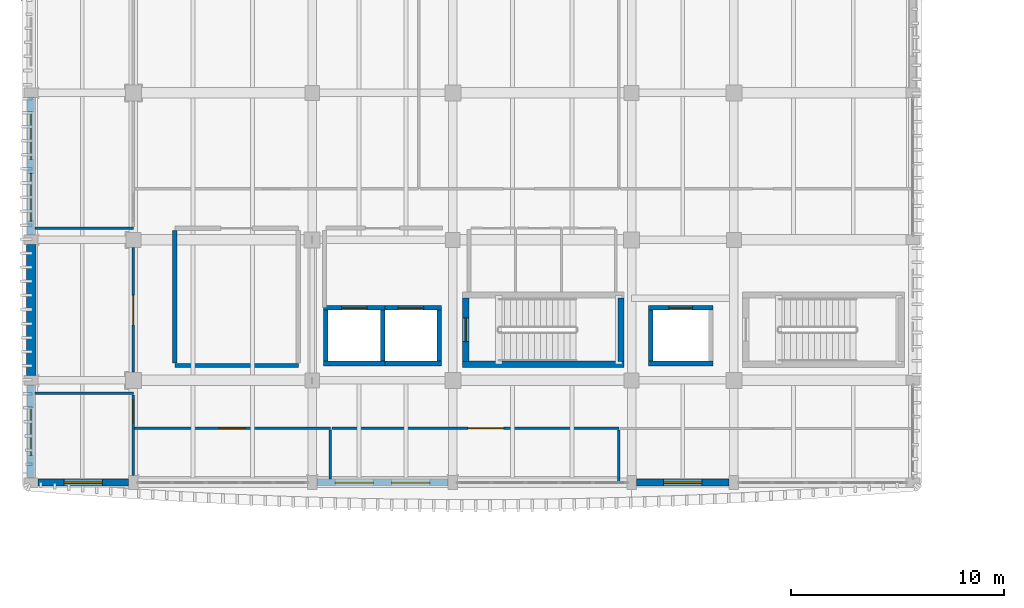
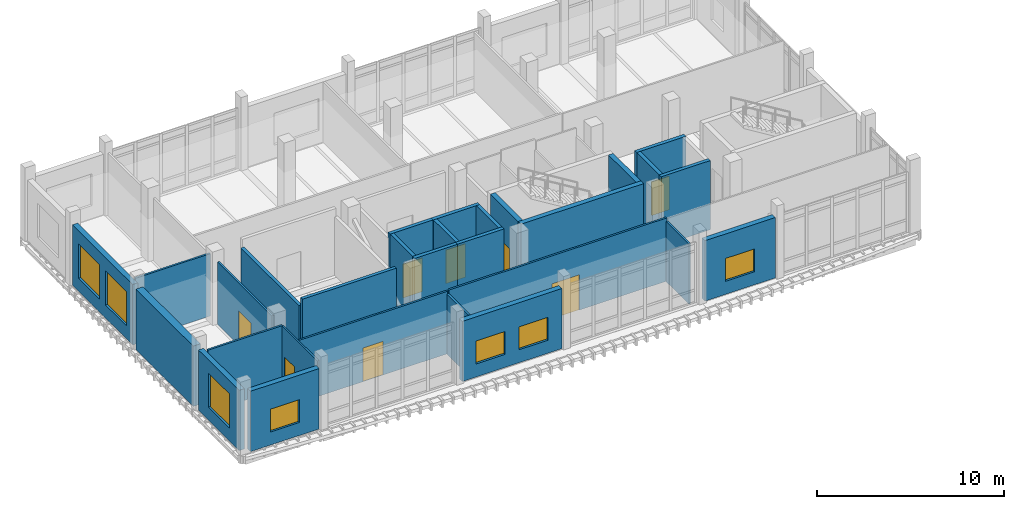
# One storey, part 20 of 37: 29 walls, 8 doors, 7 windows, 15 openings.
"""IFC4 building model written with IfcOpenShell, lengths in metres."""

from ifc_helpers import new_model, si_unit, direction, frame, frame_2d, origin, place, context, subcontext, project, spatial, rectangle, extrude, material, layer, layer_set, type_object, element, fill, save


model = new_model("IFC4")

# Units and contexts
model_context = context("Model", 3, precision=1e-05, world=origin(), true_north=direction((0.0, 1.0)))
body_context = subcontext(model_context, "Body", "Model", "MODEL_VIEW")
ifc_project = project(units=[si_unit("LENGTHUNIT", "METRE"), si_unit("AREAUNIT", "SQUARE_METRE"), si_unit("VOLUMEUNIT", "CUBIC_METRE"), si_unit("PLANEANGLEUNIT", "RADIAN"), si_unit("MASSUNIT", "GRAM", prefix="KILO")], contexts=[model_context])

# Site, building, storey
site_placement = place(None, origin())
site = spatial("IfcSite", under=ifc_project, at=site_placement, CompositionType="ELEMENT")
building_placement = place(site_placement, origin())
building = spatial("IfcBuilding", under=site, at=building_placement, Name="Dornvale Research Institute", CompositionType="ELEMENT")
storey_placement = place(building_placement, frame((0.0, 0.0, 29.39990234375)))
storey = spatial("IfcBuildingStorey", under=building, at=storey_placement, Name="L06", CompositionType="ELEMENT", Elevation=29.39990234375)

# Walls
ifc_material_1 = material(Name="Acoustic Insulated Double-Stud Laboratory Partition")
ifc_layer_1 = layer(ifc_material_1, 0.1201171875)
ifc_layer_set_1 = layer_set([ifc_layer_1], Name="Acoustic Insulated Double-Stud Laboratory Partition")
wall_type_1 = type_object("IfcWallType", Name="Partition_Dry_120", PredefinedType="PARTITIONING", material=ifc_layer_set_1)
for number, where, z_axis, x_axis, name in (
    (1, (0.175048828125, 103.199951171875, 0.0), (0.0, 0.0, 1.0), (1.0, 0.0, 0.0), "L06 V5 interior partition #502"),
    (2, (0.175048828125, 110.949951171875, 0.0), (0.0, 0.0, 1.0), (1.0, 0.0, 0.0), "L06 V5 interior partition #503"),
):
    element("IfcWall", number, at=place(storey_placement, frame(where, z_axis=z_axis, x_axis=x_axis)), inside=storey, type_object=wall_type_1, Name=name, PredefinedType="PARTITIONING", context=body_context, shape_type="SweptSolid", body=[
        extrude(rectangle(XDim=4.625, YDim=0.1201171875, at=frame_2d((2.3125, 0.0))), origin(), (0.0, 0.0, 1.0), 4.080078125),
    ])

# Wall, opening, door
wall_1_placement = place(storey_placement, frame((4.800048828125, 104.195068359375, 0.0), z_axis=(0.0, 0.0, 1.0), x_axis=(0.0, 1.0, 0.0)))
wall_1 = element("IfcWall", 3, at=wall_1_placement, inside=storey, type_object=wall_type_1, Name="L06 V5 interior partition #504", PredefinedType="PARTITIONING", context=body_context, shape_type="SweptSolid", body=[
    extrude(rectangle(XDim=5.8349609375, YDim=0.1201171875, at=frame_2d((2.91748046875, 0.0))), origin(), (0.0, 0.0, 1.0), 4.080078125),
])
opening_1_placement = place(wall_1_placement, frame((2.215087890625, 0.0, 0.0)))
opening_1 = element("IfcOpeningElement", 4, at=opening_1_placement, cuts=wall_1, Name="Opening ID-08", PredefinedType="OPENING", context=body_context, shape_type="SweptSolid", body=[
    extrude(rectangle(XDim=1.3798828125, YDim=2.25, at=frame_2d((0.68994140625, 1.125))), frame((0.0, 0.074951171875, 0.0), z_axis=(0.0, -1.0, 0.0), x_axis=(1.0, 0.0, 0.0)), (0.0, 0.0, 1.0), 0.150146484375),
])
ifc_material_2 = material(Name="Insulated Fire-Rated Hollow Metal Door Assembly")
door_type_1 = type_object("IfcDoorType", Name="Door_DryLab_1380x2250", OperationType="SINGLE_SWING_LEFT", PredefinedType="DOOR", material=ifc_material_2)
door_1_placement = place(opening_1_placement, origin())
door_1 = element("IfcDoor", 5, at=door_1_placement, inside=storey, type_object=door_type_1, Name="L06 Quantum Optics Darkroom Suite L06 door #206", OperationType="SINGLE_SWING_LEFT", OverallHeight=2.25, OverallWidth=1.3798828125, PredefinedType="DOOR", context=body_context, shape_type="SweptSolid", body=[
    extrude(rectangle(XDim=1.3798828125, YDim=2.25, at=frame_2d((0.68994140625, 1.125))), frame((0.0, 0.02490234375, 0.0), z_axis=(0.0, -1.0, 0.0), x_axis=(1.0, 0.0, 0.0)), (0.0, 0.0, 1.0), 0.050048828125),
])
fill(opening_1, door_1)

wall_2_placement = place(storey_placement, frame((4.864990234375, 101.550048828125, 0.0), z_axis=(0.0, 0.0, 1.0), x_axis=(1.0, 0.0, 0.0)))
wall_2 = element("IfcWall", 6, at=wall_2_placement, inside=storey, type_object=wall_type_1, Name="L06 V5 interior partition #513", PredefinedType="PARTITIONING", context=body_context, shape_type="SweptSolid", body=[
    extrude(rectangle(XDim=9.18505859375, YDim=0.1201171875, at=frame_2d((4.592529296875, 0.0))), origin(), (0.0, 0.0, 1.0), 4.080078125),
])
opening_2_placement = place(wall_2_placement, frame((3.93505859375, 0.0, 0.0)))
opening_2 = element("IfcOpeningElement", 7, at=opening_2_placement, cuts=wall_2, Name="Opening ID-10", PredefinedType="OPENING", context=body_context, shape_type="SweptSolid", body=[
    extrude(rectangle(XDim=1.260009765625, YDim=2.199951171875, at=frame_2d((0.6298828125, 1.10009765625))), frame((0.0, 0.074951171875, 0.0), z_axis=(0.0, -1.0, 0.0), x_axis=(1.0, 0.0, 0.0)), (0.0, 0.0, 1.0), 0.150146484375),
])
ifc_material_3 = material(Name="Phenolic-Faced Solid-Core Laboratory Door Assembly")
door_type_2 = type_object("IfcDoorType", Name="Door_DryLab_1260x2200", OperationType="SINGLE_SWING_LEFT", PredefinedType="DOOR", material=ifc_material_3)
door_2_placement = place(opening_2_placement, origin())
door_2 = element("IfcDoor", 8, at=door_2_placement, inside=storey, type_object=door_type_2, Name="L06 Biodiversity Data Synthesis Lab door #212", OperationType="SINGLE_SWING_LEFT", OverallHeight=2.199951171875, OverallWidth=1.260009765625, PredefinedType="DOOR", context=body_context, shape_type="SweptSolid", body=[
    extrude(rectangle(XDim=1.260009765625, YDim=2.199951171875, at=frame_2d((0.6298828125, 1.10009765625))), frame((0.0, 0.02490234375, 0.0), z_axis=(0.0, -1.0, 0.0), x_axis=(1.0, 0.0, 0.0)), (0.0, 0.0, 1.0), 0.050048828125),
])
fill(opening_2, door_2)

# Wall
wall_3_placement = place(storey_placement, frame((14.050048828125, 99.175048828125, 0.0), z_axis=(0.0, 0.0, 1.0), x_axis=(0.0, 1.0, 0.0)))
element("IfcWall", 9, at=wall_3_placement, inside=storey, type_object=wall_type_1, Name="L06 V5 interior partition #514", PredefinedType="PARTITIONING", context=body_context, shape_type="SweptSolid", body=[
    extrude(rectangle(XDim=2.300048828125, YDim=0.1201171875, at=frame_2d((1.14990234375, 0.0))), origin(), (0.0, 0.0, 1.0), 3.93017578125),
])

# Wall, opening, door
wall_4_placement = place(storey_placement, frame((14.125, 101.550048828125, 0.0), z_axis=(0.0, 0.0, 1.0), x_axis=(1.0, 0.0, 0.0)))
wall_4 = element("IfcWall", 10, at=wall_4_placement, inside=storey, type_object=wall_type_1, Name="L06 V5 interior partition #515", PredefinedType="PARTITIONING", context=body_context, shape_type="SweptSolid", body=[
    extrude(rectangle(XDim=13.47509765625, YDim=0.1201171875, at=frame_2d((6.737548828125, 0.0))), origin(), (0.0, 0.0, 1.0), 4.130126953125),
])
opening_3_placement = place(wall_4_placement, frame((6.385009765625, 0.0, 0.0)))
opening_3 = element("IfcOpeningElement", 11, at=opening_3_placement, cuts=wall_4, Name="Opening ID-11", PredefinedType="OPENING", context=body_context, shape_type="SweptSolid", body=[
    extrude(rectangle(XDim=1.679931640625, YDim=2.300048828125, at=frame_2d((0.83984375, 1.14990234375))), frame((0.0, 0.074951171875, 0.0), z_axis=(0.0, -1.0, 0.0), x_axis=(1.0, 0.0, 0.0)), (0.0, 0.0, 1.0), 0.150146484375),
])
ifc_material_4 = material(Name="Phenolic-Faced Solid-Core Laboratory Door Assembly")
door_type_3 = type_object("IfcDoorType", Name="Door_Seminar_1680x2300", OperationType="SINGLE_SWING_LEFT", PredefinedType="DOOR", material=ifc_material_4)
door_3_placement = place(opening_3_placement, origin())
door_3 = element("IfcDoor", 12, at=door_3_placement, inside=storey, type_object=door_type_3, Name="L06 Seminar Room L06-S door #213", OperationType="DOUBLE_DOOR_SINGLE_SWING", OverallHeight=2.300048828125, OverallWidth=1.679931640625, PredefinedType="DOOR", context=body_context, shape_type="SweptSolid", body=[
    extrude(rectangle(XDim=1.679931640625, YDim=2.300048828125, at=frame_2d((0.83984375, 1.14990234375))), frame((0.0, 0.02490234375, 0.0), z_axis=(0.0, -1.0, 0.0), x_axis=(1.0, 0.0, 0.0)), (0.0, 0.0, 1.0), 0.050048828125),
])
fill(opening_3, door_3)

# Walls
wall_5_placement = place(storey_placement, frame((27.60009765625, 99.0400390625, 0.0), z_axis=(0.0, 0.0, 1.0), x_axis=(0.0, 1.0, 0.0)))
element("IfcWall", 13, at=wall_5_placement, inside=storey, type_object=wall_type_1, Name="L06 V5 interior partition #516", PredefinedType="PARTITIONING", context=body_context, shape_type="SweptSolid", body=[
    extrude(rectangle(XDim=2.43505859375, YDim=0.1201171875, at=frame_2d((1.217529296875, 0.0))), origin(), (0.0, 0.0, 1.0), 3.93017578125),
])
ifc_material_5 = material(Name="Fire-Rated Gypsum Board on Cold-Formed Steel Studs", Category="steel")
ifc_layer_2 = layer(ifc_material_5, 0.199951171875)
ifc_layer_set_2 = layer_set([ifc_layer_2], Name="Fire-Rated Gypsum Board on Cold-Formed Steel Studs")
wall_type_2 = type_object("IfcWallType", Name="Partition_FireWall_200", PredefinedType="PARTITIONING", material=ifc_layer_set_2)
wall_6_placement = place(storey_placement, frame((6.75, 104.5, 0.0), z_axis=(0.0, 0.0, 1.0), x_axis=(1.0, 0.0, 0.0)))
element("IfcWall", 14, at=wall_6_placement, inside=storey, type_object=wall_type_2, Name="L06 V5 interior partition #498", PredefinedType="PARTITIONING", context=body_context, shape_type="SweptSolid", body=[
    extrude(rectangle(XDim=5.800048828125, YDim=0.199951171875, at=frame_2d((2.89990234375, 0.0))), origin(), (0.0, 0.0, 1.0), 4.34521484375),
])
wall_7_placement = place(storey_placement, frame((6.75, 104.614990234375, 0.0), z_axis=(0.0, 0.0, 1.0), x_axis=(0.0, 1.0, 0.0)))
element("IfcWall", 15, at=wall_7_placement, inside=storey, type_object=wall_type_2, Name="L06 V5 interior partition #500", PredefinedType="PARTITIONING", context=body_context, shape_type="SweptSolid", body=[
    extrude(rectangle(XDim=6.219970703125, YDim=0.199951171875, at=frame_2d((3.10986328125, 0.0))), origin(), (0.0, 0.0, 1.0), 3.830078125),
])

# Wall, opening, door
ifc_material_6 = material(Name="Acoustic Insulated Double-Stud Laboratory Partition")
ifc_layer_3 = layer(ifc_material_6, 0.10009765625)
ifc_layer_set_3 = layer_set([ifc_layer_3], Name="Acoustic Insulated Double-Stud Laboratory Partition")
wall_type_3 = type_object("IfcWallType", Name="Partition_Office_100", PredefinedType="PARTITIONING", material=ifc_layer_set_3)
wall_8_placement = place(storey_placement, frame((4.800048828125, 99.344970703125, 0.0), z_axis=(0.0, 0.0, 1.0), x_axis=(0.0, 1.0, 0.0)))
wall_8 = element("IfcWall", 16, at=wall_8_placement, inside=storey, type_object=wall_type_3, Name="L06 V5 interior partition #512", PredefinedType="PARTITIONING", context=body_context, shape_type="SweptSolid", body=[
    extrude(rectangle(XDim=3.780029296875, YDim=0.10009765625, at=frame_2d((1.89013671875, 0.0))), origin(), (0.0, 0.0, 1.0), 4.080078125),
])
opening_4_placement = place(wall_8_placement, frame((2.469970703125, 0.0, 0.0)))
opening_4 = element("IfcOpeningElement", 17, at=opening_4_placement, cuts=wall_8, Name="Opening ID-19", PredefinedType="OPENING", context=body_context, shape_type="SweptSolid", body=[
    extrude(rectangle(XDim=1.06005859375, YDim=2.199951171875, at=frame_2d((0.530029296875, 1.10009765625))), frame((0.0, 0.06494140625, 0.0), z_axis=(0.0, -1.0, 0.0), x_axis=(1.0, 0.0, 0.0)), (0.0, 0.0, 1.0), 0.130126953125),
])
ifc_material_7 = material(Name="Phenolic-Faced Solid-Core Laboratory Door Assembly")
door_type_4 = type_object("IfcDoorType", Name="Door_WriteUp_1060x2200", OperationType="SINGLE_SWING_LEFT", PredefinedType="DOOR", material=ifc_material_7)
door_4_placement = place(opening_4_placement, origin())
door_4 = element("IfcDoor", 18, at=door_4_placement, inside=storey, type_object=door_type_4, Name="L06 Research Instrument Study L06 door #211", OperationType="SINGLE_SWING_RIGHT", OverallHeight=2.199951171875, OverallWidth=1.06005859375, PredefinedType="DOOR", context=body_context, shape_type="SweptSolid", body=[
    extrude(rectangle(XDim=1.06005859375, YDim=2.199951171875, at=frame_2d((0.530029296875, 1.10009765625))), frame((0.0, 0.02490234375, 0.0), z_axis=(0.0, -1.0, 0.0), x_axis=(1.0, 0.0, 0.0)), (0.0, 0.0, 1.0), 0.050048828125),
])
fill(opening_4, door_4)

# Wall
ifc_material_8 = material(Name="Concrete f'c 50 MPa (C40/50)", Category="concrete")
ifc_layer_4 = layer(ifc_material_8, 0.300048828125)
ifc_layer_set_4 = layer_set([ifc_layer_4], Name="Concrete f'c 50 MPa (C40/50)")
wall_type_4 = type_object("IfcWallType", Name="ShearWall_Core_300", PredefinedType="SHEAR", material=ifc_layer_set_4)
wall_9_placement = place(storey_placement, frame((20.25, 104.550048828125, 0.0), z_axis=(0.0, 0.0, 1.0), x_axis=(1.0, 0.0, 0.0)))
element("IfcWall", 19, at=wall_9_placement, inside=storey, type_object=wall_type_4, Name="L06 ST-1 shaft shear wall south", PredefinedType="SHEAR", context=body_context, shape_type="SweptSolid", body=[
    extrude(rectangle(XDim=7.60009765625, YDim=0.300048828125, at=frame_2d((3.800048828125, 0.0))), origin(), (0.0, 0.0, 1.0), 4.52001953125),
])

# Wall, opening, door
wall_10_placement = place(storey_placement, frame((20.39990234375, 104.699951171875, 0.0), z_axis=(0.0, 0.0, 1.0), x_axis=(0.0, 1.0, 0.0)))
wall_10 = element("IfcWall", 20, at=wall_10_placement, inside=storey, type_object=wall_type_4, Name="L06 ST-1 shaft shear wall west", PredefinedType="SHEAR", context=body_context, shape_type="SweptSolid", body=[
    extrude(rectangle(XDim=2.9599609375, YDim=0.300048828125, at=frame_2d((1.47998046875, 0.0))), origin(), (0.0, 0.0, 1.0), 4.52001953125),
])
opening_5_placement = place(wall_10_placement, frame((0.919921875, 0.0, 0.0)))
opening_5 = element("IfcOpeningElement", 21, at=opening_5_placement, cuts=wall_10, Name="Opening SD-01", PredefinedType="OPENING", context=body_context, shape_type="SweptSolid", body=[
    extrude(rectangle(XDim=1.1201171875, YDim=2.199951171875, at=frame_2d((0.56005859375, 1.10009765625))), frame((0.0, 0.1650390625, 0.0), z_axis=(0.0, -1.0, 0.0), x_axis=(1.0, 0.0, 0.0)), (0.0, 0.0, 1.0), 0.330078125),
])
ifc_material_9 = material(Name="Insulated Fire-Rated Hollow Metal Door Assembly")
door_type_5 = type_object("IfcDoorType", Name="Door_Stair_1120x2200", OperationType="SINGLE_SWING_LEFT", PredefinedType="DOOR", material=ifc_material_9)
door_5_placement = place(opening_5_placement, origin())
door_5 = element("IfcDoor", 22, at=door_5_placement, inside=storey, type_object=door_type_5, Name="L06 ST-1 exit stair door #8", OperationType="SINGLE_SWING_RIGHT", OverallHeight=2.199951171875, OverallWidth=1.1201171875, PredefinedType="DOOR", context=body_context, shape_type="SweptSolid", body=[
    extrude(rectangle(XDim=1.1201171875, YDim=2.199951171875, at=frame_2d((0.56005859375, 1.10009765625))), frame((0.0, 0.02490234375, 0.0), z_axis=(0.0, -1.0, 0.0), x_axis=(1.0, 0.0, 0.0)), (0.0, 0.0, 1.0), 0.050048828125),
])
fill(opening_5, door_5)

# Walls
wall_11_placement = place(storey_placement, frame((27.699951171875, 104.699951171875, 0.0), z_axis=(0.0, 0.0, 1.0), x_axis=(0.0, 1.0, 0.0)))
element("IfcWall", 23, at=wall_11_placement, inside=storey, type_object=wall_type_4, Name="L06 ST-1 shaft shear wall east", PredefinedType="SHEAR", context=body_context, shape_type="SweptSolid", body=[
    extrude(rectangle(XDim=2.9599609375, YDim=0.300048828125, at=frame_2d((1.47998046875, 0.0))), origin(), (0.0, 0.0, 1.0), 4.52001953125),
])
ifc_material_10 = material(Name="Concrete f'c 45 MPa (C35/45)", Category="concrete")
ifc_layer_5 = layer(ifc_material_10, 0.219970703125)
ifc_layer_set_5 = layer_set([ifc_layer_5], Name="Concrete f'c 45 MPa (C35/45)")
wall_type_5 = type_object("IfcWallType", Name="ShearWall_Shaft_220", PredefinedType="SHEAR", material=ifc_layer_set_5)
wall_12_placement = place(storey_placement, frame((13.72998046875, 104.590087890625, 0.0), z_axis=(0.0, 0.0, 1.0), x_axis=(1.0, 0.0, 0.0)))
element("IfcWall", 24, at=wall_12_placement, inside=storey, type_object=wall_type_5, Name="L06 FS1 elevator shaft wall south", PredefinedType="SHEAR", context=body_context, shape_type="SweptSolid", body=[
    extrude(rectangle(XDim=2.89013671875, YDim=0.219970703125, at=frame_2d((1.445068359375, 0.0))), origin(), (0.0, 0.0, 1.0), 4.52001953125),
])

# Wall, opening, door
wall_13_placement = place(storey_placement, frame((13.72998046875, 107.2099609375, 0.0), z_axis=(0.0, 0.0, 1.0), x_axis=(1.0, 0.0, 0.0)))
wall_13 = element("IfcWall", 25, at=wall_13_placement, inside=storey, type_object=wall_type_5, Name="L06 FS1 elevator shaft wall north", PredefinedType="SHEAR", context=body_context, shape_type="SweptSolid", body=[
    extrude(rectangle(XDim=2.89013671875, YDim=0.219970703125, at=frame_2d((1.445068359375, 0.0))), origin(), (0.0, 0.0, 1.0), 4.52001953125),
])
opening_6_placement = place(wall_13_placement, frame((0.844970703125, 0.0, 0.0)))
opening_6 = element("IfcOpeningElement", 26, at=opening_6_placement, cuts=wall_13, Name="Opening LD-01", PredefinedType="OPENING", context=body_context, shape_type="SweptSolid", body=[
    extrude(rectangle(XDim=1.199951171875, YDim=2.199951171875, at=frame_2d((0.60009765625, 1.10009765625))), frame((0.0, 0.125, 0.0), z_axis=(0.0, -1.0, 0.0), x_axis=(1.0, 0.0, 0.0)), (0.0, 0.0, 1.0), 0.25),
])
ifc_material_11 = material(Name="Brushed Stainless Steel Sliding Elevator Landing Door", Category="steel")
door_type_6 = type_object("IfcDoorType", Name="Door_LiftLanding_FSAE_1200x2200", OperationType="SINGLE_SWING_LEFT", PredefinedType="DOOR", material=ifc_material_11)
door_6_placement = place(opening_6_placement, origin())
door_6 = element("IfcDoor", 27, at=door_6_placement, inside=storey, type_object=door_type_6, Name="L06 FS1 sliding elevator landing door #8", OperationType="DOUBLE_DOOR_SLIDING", OverallHeight=2.199951171875, OverallWidth=1.199951171875, PredefinedType="DOOR", context=body_context, shape_type="SweptSolid", body=[
    extrude(rectangle(XDim=1.199951171875, YDim=2.199951171875, at=frame_2d((0.60009765625, 1.10009765625))), frame((0.0, 0.02490234375, 0.0), z_axis=(0.0, -1.0, 0.0), x_axis=(1.0, 0.0, 0.0)), (0.0, 0.0, 1.0), 0.050048828125),
])
fill(opening_6, door_6)

# Walls
for number, where, z_axis, x_axis, name in (
    (28, (13.840087890625, 104.699951171875, 0.0), (0.0, 0.0, 1.0), (0.0, 1.0, 0.0), "L06 FS1 elevator shaft wall west"),
    (29, (16.510009765625, 104.699951171875, 0.0), (0.0, 0.0, 1.0), (0.0, 1.0, 0.0), "L06 FS1 elevator shaft wall east"),
):
    element("IfcWall", number, at=place(storey_placement, frame(where, z_axis=z_axis, x_axis=x_axis)), inside=storey, type_object=wall_type_5, Name=name, PredefinedType="SHEAR", context=body_context, shape_type="SweptSolid", body=[
        extrude(rectangle(XDim=2.400146484375, YDim=0.219970703125, at=frame_2d((1.2001953125, 0.0))), origin(), (0.0, 0.0, 1.0), 4.52001953125),
    ])
wall_14_placement = place(storey_placement, frame((16.3798828125, 104.590087890625, 0.0), z_axis=(0.0, 0.0, 1.0), x_axis=(1.0, 0.0, 0.0)))
element("IfcWall", 30, at=wall_14_placement, inside=storey, type_object=wall_type_5, Name="L06 FS2 elevator shaft wall south", PredefinedType="SHEAR", context=body_context, shape_type="SweptSolid", body=[
    extrude(rectangle(XDim=2.89013671875, YDim=0.219970703125, at=frame_2d((1.445068359375, 0.0))), origin(), (0.0, 0.0, 1.0), 4.52001953125),
])

# Wall, opening, door
wall_15_placement = place(storey_placement, frame((16.3798828125, 107.2099609375, 0.0), z_axis=(0.0, 0.0, 1.0), x_axis=(1.0, 0.0, 0.0)))
wall_15 = element("IfcWall", 31, at=wall_15_placement, inside=storey, type_object=wall_type_5, Name="L06 FS2 elevator shaft wall north", PredefinedType="SHEAR", context=body_context, shape_type="SweptSolid", body=[
    extrude(rectangle(XDim=2.89013671875, YDim=0.219970703125, at=frame_2d((1.445068359375, 0.0))), origin(), (0.0, 0.0, 1.0), 4.52001953125),
])
opening_7_placement = place(wall_15_placement, frame((0.844970703125, 0.0, 0.0)))
opening_7 = element("IfcOpeningElement", 32, at=opening_7_placement, cuts=wall_15, Name="Opening LD-01", PredefinedType="OPENING", context=body_context, shape_type="SweptSolid", body=[
    extrude(rectangle(XDim=1.199951171875, YDim=2.199951171875, at=frame_2d((0.60009765625, 1.10009765625))), frame((0.0, 0.125, 0.0), z_axis=(0.0, -1.0, 0.0), x_axis=(1.0, 0.0, 0.0)), (0.0, 0.0, 1.0), 0.25),
])
door_7_placement = place(opening_7_placement, origin())
door_7 = element("IfcDoor", 33, at=door_7_placement, inside=storey, type_object=door_type_6, Name="L06 FS2 sliding elevator landing door #20", OperationType="DOUBLE_DOOR_SLIDING", OverallHeight=2.199951171875, OverallWidth=1.199951171875, PredefinedType="DOOR", context=body_context, shape_type="SweptSolid", body=[
    extrude(rectangle(XDim=1.199951171875, YDim=2.199951171875, at=frame_2d((0.60009765625, 1.10009765625))), frame((0.0, 0.02490234375, 0.0), z_axis=(0.0, -1.0, 0.0), x_axis=(1.0, 0.0, 0.0)), (0.0, 0.0, 1.0), 0.050048828125),
])
fill(opening_7, door_7)

# Walls
wall_16_placement = place(storey_placement, frame((19.159912109375, 104.699951171875, 0.0), z_axis=(0.0, 0.0, 1.0), x_axis=(0.0, 1.0, 0.0)))
element("IfcWall", 34, at=wall_16_placement, inside=storey, type_object=wall_type_5, Name="L06 FS2 elevator shaft wall east", PredefinedType="SHEAR", context=body_context, shape_type="SweptSolid", body=[
    extrude(rectangle(XDim=2.400146484375, YDim=0.219970703125, at=frame_2d((1.2001953125, 0.0))), origin(), (0.0, 0.0, 1.0), 4.52001953125),
])
wall_17_placement = place(storey_placement, frame((28.97998046875, 104.590087890625, 0.0), z_axis=(0.0, 0.0, 1.0), x_axis=(1.0, 0.0, 0.0)))
element("IfcWall", 35, at=wall_17_placement, inside=storey, type_object=wall_type_5, Name="L06 LP1 elevator shaft wall south", PredefinedType="SHEAR", context=body_context, shape_type="SweptSolid", body=[
    extrude(rectangle(XDim=3.0400390625, YDim=0.219970703125, at=frame_2d((1.52001953125, 0.0))), origin(), (0.0, 0.0, 1.0), 4.52001953125),
])

# Wall, opening, door
wall_18_placement = place(storey_placement, frame((28.97998046875, 107.2099609375, 0.0), z_axis=(0.0, 0.0, 1.0), x_axis=(1.0, 0.0, 0.0)))
wall_18 = element("IfcWall", 36, at=wall_18_placement, inside=storey, type_object=wall_type_5, Name="L06 LP1 elevator shaft wall north", PredefinedType="SHEAR", context=body_context, shape_type="SweptSolid", body=[
    extrude(rectangle(XDim=3.0400390625, YDim=0.219970703125, at=frame_2d((1.52001953125, 0.0))), origin(), (0.0, 0.0, 1.0), 4.52001953125),
])
opening_8_placement = place(wall_18_placement, frame((0.969970703125, 0.0, 0.0)))
opening_8 = element("IfcOpeningElement", 37, at=opening_8_placement, cuts=wall_18, Name="Opening LD-02", PredefinedType="OPENING", context=body_context, shape_type="SweptSolid", body=[
    extrude(rectangle(XDim=1.10009765625, YDim=2.199951171875, at=frame_2d((0.550048828125, 1.10009765625))), frame((0.0, 0.125, 0.0), z_axis=(0.0, -1.0, 0.0), x_axis=(1.0, 0.0, 0.0)), (0.0, 0.0, 1.0), 0.25),
])
ifc_material_12 = material(Name="Brushed Stainless Steel Sliding Elevator Landing Door", Category="steel")
door_type_7 = type_object("IfcDoorType", Name="Door_LiftLanding_Pass_1100x2200", OperationType="SINGLE_SWING_LEFT", PredefinedType="DOOR", material=ifc_material_12)
door_8_placement = place(opening_8_placement, origin())
door_8 = element("IfcDoor", 38, at=door_8_placement, inside=storey, type_object=door_type_7, Name="L06 LP1 sliding elevator landing door #32", OperationType="SLIDING_TO_LEFT", OverallHeight=2.199951171875, OverallWidth=1.10009765625, PredefinedType="DOOR", context=body_context, shape_type="SweptSolid", body=[
    extrude(rectangle(XDim=1.10009765625, YDim=2.199951171875, at=frame_2d((0.550048828125, 1.10009765625))), frame((0.0, 0.02490234375, 0.0), z_axis=(0.0, -1.0, 0.0), x_axis=(1.0, 0.0, 0.0)), (0.0, 0.0, 1.0), 0.050048828125),
])
fill(opening_8, door_8)

# Walls
wall_19_placement = place(storey_placement, frame((29.090087890625, 104.699951171875, 0.0), z_axis=(0.0, 0.0, 1.0), x_axis=(0.0, 1.0, 0.0)))
element("IfcWall", 39, at=wall_19_placement, inside=storey, type_object=wall_type_5, Name="L06 LP1 elevator shaft wall west", PredefinedType="SHEAR", context=body_context, shape_type="SweptSolid", body=[
    extrude(rectangle(XDim=2.400146484375, YDim=0.219970703125, at=frame_2d((1.2001953125, 0.0))), origin(), (0.0, 0.0, 1.0), 4.52001953125),
])
ifc_material_13 = material(Name="Precast Concrete f'c 40 MPa (C32/40) and Glazed Terracotta Backup Wall", Category="masonry")
ifc_layer_6 = layer(ifc_material_13, 0.449951171875)
ifc_layer_set_6 = layer_set([ifc_layer_6], Name="Precast Concrete f'c 40 MPa (C32/40) and Glazed Terracotta Backup Wall")
wall_type_6 = type_object("IfcWallType", Name="SolidWall_ShearBraceBay_450", PredefinedType="SOLIDWALL", material=ifc_layer_set_6)
wall_20_placement = place(storey_placement, frame((0.0, 104.02490234375, 0.0), z_axis=(0.0, 0.0, 1.0), x_axis=(0.0, 1.0, 0.0)))
element("IfcWall", 40, at=wall_20_placement, inside=storey, type_object=wall_type_6, Name="L06 V5 west exterior wall #370", PredefinedType="SOLIDWALL", context=body_context, shape_type="SweptSolid", body=[
    extrude(rectangle(XDim=6.150146484375, YDim=0.449951171875, at=frame_2d((3.0751953125, 0.0))), origin(), (0.0, 0.0, 1.0), 3.9501953125),
])

# Wall, opening, window
ifc_material_14 = material(Name="Catalan Pressed Brick and Insulated Cavity Assembly", Category="masonry")
ifc_layer_7 = layer(ifc_material_14, 0.320068359375)
ifc_layer_set_7 = layer_set([ifc_layer_7], Name="Catalan Pressed Brick and Insulated Cavity Assembly")
wall_type_7 = type_object("IfcWallType", Name="StandardWall_BrickCavity_320", PredefinedType="STANDARD", material=ifc_layer_set_7)
wall_21_placement = place(storey_placement, frame((0.0, 99.22509765625, 0.0), z_axis=(0.0, 0.0, 1.0), x_axis=(0.0, 1.0, 0.0)))
wall_21 = element("IfcWall", 41, at=wall_21_placement, inside=storey, type_object=wall_type_7, Name="L06 V5 west exterior wall #369", PredefinedType="STANDARD", context=body_context, shape_type="SweptSolid", body=[
    extrude(rectangle(XDim=4.349853515625, YDim=0.320068359375, at=frame_2d((2.1748046875, 0.0))), origin(), (0.0, 0.0, 1.0), 3.9501953125),
])
opening_9_placement = place(wall_21_placement, frame((1.050048828125, 0.0, 0.85009765625)))
opening_9 = element("IfcOpeningElement", 42, at=opening_9_placement, cuts=wall_21, Name="Opening W-44", PredefinedType="OPENING", context=body_context, shape_type="SweptSolid", body=[
    extrude(rectangle(XDim=2.25, YDim=2.239990234375, at=frame_2d((1.125, 1.1201171875))), frame((0.0, 0.175048828125, 0.0), z_axis=(0.0, -1.0, 0.0), x_axis=(1.0, 0.0, 0.0)), (0.0, 0.0, 1.0), 0.35009765625),
])
ifc_material_15 = material(Name="Low-E Argon Double Insulating Glazing Unit", Category="glass")
window_type_1 = type_object("IfcWindowType", Name="Window_Alu_2250x2240_44", PartitioningType="DOUBLE_PANEL_VERTICAL", PredefinedType="WINDOW", material=ifc_material_15)
window_1_placement = place(opening_9_placement, origin())
window_1 = element("IfcWindow", 43, at=window_1_placement, inside=storey, type_object=window_type_1, Name="L06 V5 facade window W-44 #493", OverallHeight=2.239990234375, OverallWidth=2.25, PartitioningType="DOUBLE_PANEL_VERTICAL", PredefinedType="WINDOW", context=body_context, shape_type="SweptSolid", body=[
    extrude(rectangle(XDim=2.25, YDim=2.239990234375, at=frame_2d((1.125, 1.1201171875))), frame((0.0, 0.030029296875, 0.0), z_axis=(0.0, -1.0, 0.0), x_axis=(1.0, 0.0, 0.0)), (0.0, 0.0, 1.0), 0.06005859375),
])
fill(opening_9, window_1)

# Wall, openings, windows
wall_22_placement = place(storey_placement, frame((0.0, 110.625, 0.0), z_axis=(0.0, 0.0, 1.0), x_axis=(0.0, 1.0, 0.0)))
wall_22 = element("IfcWall", 44, at=wall_22_placement, inside=storey, type_object=wall_type_7, Name="L06 V5 west exterior wall #371", PredefinedType="STANDARD", context=body_context, shape_type="SweptSolid", body=[
    extrude(rectangle(XDim=6.449951171875, YDim=0.320068359375, at=frame_2d((3.22509765625, 0.0))), origin(), (0.0, 0.0, 1.0), 3.9501953125),
])
opening_10_placement = place(wall_22_placement, frame((0.64990234375, 0.0, 0.85009765625)))
opening_10 = element("IfcOpeningElement", 45, at=opening_10_placement, cuts=wall_22, Name="Opening W-44", PredefinedType="OPENING", context=body_context, shape_type="SweptSolid", body=[
    extrude(rectangle(XDim=2.25, YDim=2.239990234375, at=frame_2d((1.125, 1.1201171875))), frame((0.0, 0.175048828125, 0.0), z_axis=(0.0, -1.0, 0.0), x_axis=(1.0, 0.0, 0.0)), (0.0, 0.0, 1.0), 0.35009765625),
])
opening_11_placement = place(wall_22_placement, frame((3.550048828125, 0.0, 0.85009765625)))
opening_11 = element("IfcOpeningElement", 46, at=opening_11_placement, cuts=wall_22, Name="Opening W-44", PredefinedType="OPENING", context=body_context, shape_type="SweptSolid", body=[
    extrude(rectangle(XDim=2.25, YDim=2.239990234375, at=frame_2d((1.125, 1.1201171875))), frame((0.0, 0.175048828125, 0.0), z_axis=(0.0, -1.0, 0.0), x_axis=(1.0, 0.0, 0.0)), (0.0, 0.0, 1.0), 0.35009765625),
])
window_2_placement = place(opening_10_placement, origin())
window_2 = element("IfcWindow", 47, at=window_2_placement, inside=storey, type_object=window_type_1, Name="L06 V5 facade window W-44 #494", OverallHeight=2.239990234375, OverallWidth=2.25, PartitioningType="DOUBLE_PANEL_VERTICAL", PredefinedType="WINDOW", context=body_context, shape_type="SweptSolid", body=[
    extrude(rectangle(XDim=2.25, YDim=2.239990234375, at=frame_2d((1.125, 1.1201171875))), frame((0.0, 0.030029296875, 0.0), z_axis=(0.0, -1.0, 0.0), x_axis=(1.0, 0.0, 0.0)), (0.0, 0.0, 1.0), 0.06005859375),
])
fill(opening_10, window_2)
window_3_placement = place(opening_11_placement, origin())
window_3 = element("IfcWindow", 48, at=window_3_placement, inside=storey, type_object=window_type_1, Name="L06 V5 facade window W-44 #495", OverallHeight=2.239990234375, OverallWidth=2.25, PartitioningType="DOUBLE_PANEL_VERTICAL", PredefinedType="WINDOW", context=body_context, shape_type="SweptSolid", body=[
    extrude(rectangle(XDim=2.25, YDim=2.239990234375, at=frame_2d((1.125, 1.1201171875))), frame((0.0, 0.030029296875, 0.0), z_axis=(0.0, -1.0, 0.0), x_axis=(1.0, 0.0, 0.0)), (0.0, 0.0, 1.0), 0.06005859375),
])
fill(opening_11, window_3)

# Wall, opening, window
wall_23_placement = place(storey_placement, frame((32.77490234375, 99.0, 0.0), z_axis=(0.0, 0.0, 1.0), x_axis=(-1.0, 0.0, 0.0)))
wall_23 = element("IfcWall", 49, at=wall_23_placement, inside=storey, type_object=wall_type_7, Name="L06 V5 south exterior wall #378", PredefinedType="STANDARD", context=body_context, shape_type="SweptSolid", body=[
    extrude(rectangle(XDim=4.349853515625, YDim=0.320068359375, at=frame_2d((2.1748046875, 0.0))), origin(), (0.0, 0.0, 1.0), 3.9501953125),
])
opening_12_placement = place(wall_23_placement, frame((1.27490234375, 0.0, 0.85009765625)))
opening_12 = element("IfcOpeningElement", 50, at=opening_12_placement, cuts=wall_23, Name="Opening W-05", PredefinedType="OPENING", context=body_context, shape_type="SweptSolid", body=[
    extrude(rectangle(XDim=1.800048828125, YDim=1.5, at=frame_2d((0.89990234375, 0.75))), frame((0.0, 0.175048828125, 0.0), z_axis=(0.0, -1.0, 0.0), x_axis=(1.0, 0.0, 0.0)), (0.0, 0.0, 1.0), 0.35009765625),
])
ifc_material_16 = material(Name="Low-E Argon Double Insulating Glazing Unit", Category="glass")
window_type_2 = type_object("IfcWindowType", Name="Window_Alu_1800x1500_05", PartitioningType="DOUBLE_PANEL_VERTICAL", PredefinedType="WINDOW", material=ifc_material_16)
window_4_placement = place(opening_12_placement, origin())
window_4 = element("IfcWindow", 51, at=window_4_placement, inside=storey, type_object=window_type_2, Name="L06 V5 facade window W-05 #503", OverallHeight=1.5, OverallWidth=1.800048828125, PartitioningType="DOUBLE_PANEL_VERTICAL", PredefinedType="WINDOW", context=body_context, shape_type="SweptSolid", body=[
    extrude(rectangle(XDim=1.800048828125, YDim=1.5, at=frame_2d((0.89990234375, 0.75))), frame((0.0, 0.030029296875, 0.0), z_axis=(0.0, -1.0, 0.0), x_axis=(1.0, 0.0, 0.0)), (0.0, 0.0, 1.0), 0.06005859375),
])
fill(opening_12, window_4)

# Wall, openings, windows
wall_24_placement = place(storey_placement, frame((19.574951171875, 99.0, 0.0), z_axis=(0.0, 0.0, 1.0), x_axis=(-1.0, 0.0, 0.0)))
wall_24 = element("IfcWall", 52, at=wall_24_placement, inside=storey, type_object=wall_type_7, Name="L06 V5 south exterior wall #379", PredefinedType="STANDARD", context=body_context, shape_type="SweptSolid", body=[
    extrude(rectangle(XDim=6.14990234375, YDim=0.320068359375, at=frame_2d((3.074951171875, 0.0))), origin(), (0.0, 0.0, 1.0), 3.93017578125),
])
opening_13_placement = place(wall_24_placement, frame((0.85009765625, 0.0, 0.85009765625)))
opening_13 = element("IfcOpeningElement", 53, at=opening_13_placement, cuts=wall_24, Name="Opening W-05", PredefinedType="OPENING", context=body_context, shape_type="SweptSolid", body=[
    extrude(rectangle(XDim=1.800048828125, YDim=1.5, at=frame_2d((0.89990234375, 0.75))), frame((0.0, 0.175048828125, 0.0), z_axis=(0.0, -1.0, 0.0), x_axis=(1.0, 0.0, 0.0)), (0.0, 0.0, 1.0), 0.35009765625),
])
opening_14_placement = place(wall_24_placement, frame((3.5, 0.0, 0.85009765625)))
opening_14 = element("IfcOpeningElement", 54, at=opening_14_placement, cuts=wall_24, Name="Opening W-05", PredefinedType="OPENING", context=body_context, shape_type="SweptSolid", body=[
    extrude(rectangle(XDim=1.800048828125, YDim=1.5, at=frame_2d((0.89990234375, 0.75))), frame((0.0, 0.175048828125, 0.0), z_axis=(0.0, -1.0, 0.0), x_axis=(1.0, 0.0, 0.0)), (0.0, 0.0, 1.0), 0.35009765625),
])
window_5_placement = place(opening_13_placement, origin())
window_5 = element("IfcWindow", 55, at=window_5_placement, inside=storey, type_object=window_type_2, Name="L06 V5 facade window W-05 #504", OverallHeight=1.5, OverallWidth=1.800048828125, PartitioningType="DOUBLE_PANEL_VERTICAL", PredefinedType="WINDOW", context=body_context, shape_type="SweptSolid", body=[
    extrude(rectangle(XDim=1.800048828125, YDim=1.5, at=frame_2d((0.89990234375, 0.75))), frame((0.0, 0.030029296875, 0.0), z_axis=(0.0, -1.0, 0.0), x_axis=(1.0, 0.0, 0.0)), (0.0, 0.0, 1.0), 0.06005859375),
])
fill(opening_13, window_5)
window_6_placement = place(opening_14_placement, origin())
window_6 = element("IfcWindow", 56, at=window_6_placement, inside=storey, type_object=window_type_2, Name="L06 V5 facade window W-05 #505", OverallHeight=1.5, OverallWidth=1.800048828125, PartitioningType="DOUBLE_PANEL_VERTICAL", PredefinedType="WINDOW", context=body_context, shape_type="SweptSolid", body=[
    extrude(rectangle(XDim=1.800048828125, YDim=1.5, at=frame_2d((0.89990234375, 0.75))), frame((0.0, 0.030029296875, 0.0), z_axis=(0.0, -1.0, 0.0), x_axis=(1.0, 0.0, 0.0)), (0.0, 0.0, 1.0), 0.06005859375),
])
fill(opening_14, window_6)

# Wall, opening, window
wall_25_placement = place(storey_placement, frame((4.574951171875, 99.0, 0.0), z_axis=(0.0, 0.0, 1.0), x_axis=(-1.0, 0.0, 0.0)))
wall_25 = element("IfcWall", 57, at=wall_25_placement, inside=storey, type_object=wall_type_7, Name="L06 V5 south exterior wall #380", PredefinedType="STANDARD", context=body_context, shape_type="SweptSolid", body=[
    extrude(rectangle(XDim=4.25, YDim=0.320068359375, at=frame_2d((2.125, 0.0))), origin(), (0.0, 0.0, 1.0), 3.9501953125),
])
opening_15_placement = place(wall_25_placement, frame((1.22509765625, 0.0, 0.85009765625)))
opening_15 = element("IfcOpeningElement", 58, at=opening_15_placement, cuts=wall_25, Name="Opening W-05", PredefinedType="OPENING", context=body_context, shape_type="SweptSolid", body=[
    extrude(rectangle(XDim=1.800048828125, YDim=1.5, at=frame_2d((0.89990234375, 0.75))), frame((0.0, 0.175048828125, 0.0), z_axis=(0.0, -1.0, 0.0), x_axis=(1.0, 0.0, 0.0)), (0.0, 0.0, 1.0), 0.35009765625),
])
window_7_placement = place(opening_15_placement, origin())
window_7 = element("IfcWindow", 59, at=window_7_placement, inside=storey, type_object=window_type_2, Name="L06 V5 facade window W-05 #506", OverallHeight=1.5, OverallWidth=1.800048828125, PartitioningType="DOUBLE_PANEL_VERTICAL", PredefinedType="WINDOW", context=body_context, shape_type="SweptSolid", body=[
    extrude(rectangle(XDim=1.800048828125, YDim=1.5, at=frame_2d((0.89990234375, 0.75))), frame((0.0, 0.030029296875, 0.0), z_axis=(0.0, -1.0, 0.0), x_axis=(1.0, 0.0, 0.0)), (0.0, 0.0, 1.0), 0.06005859375),
])
fill(opening_15, window_7)

save(model, "model.ifc")
